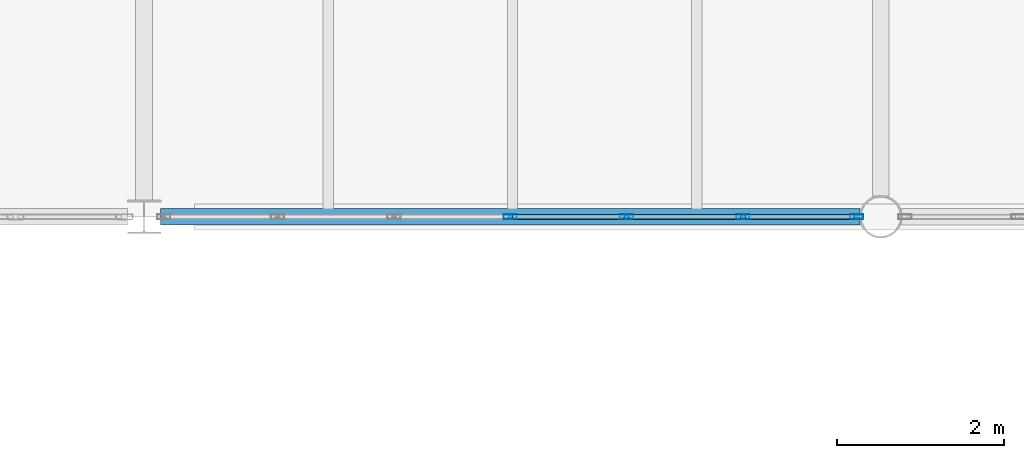
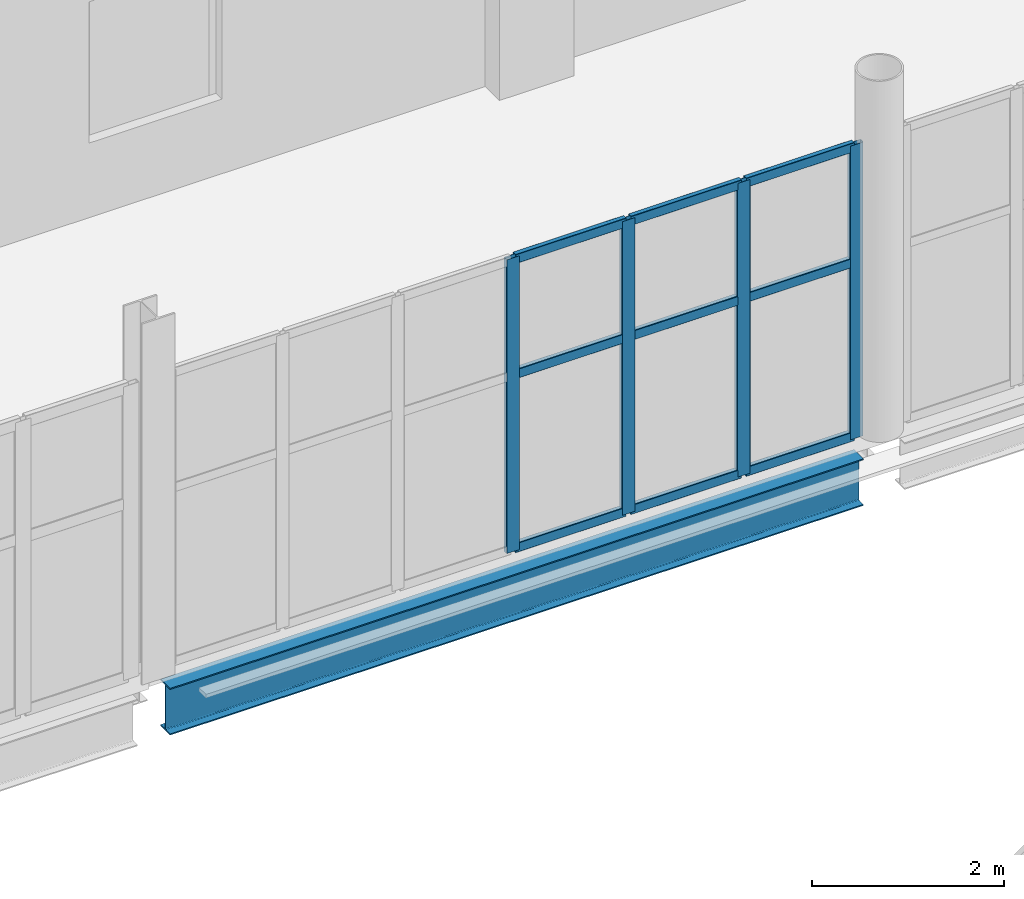
# One storey, part 81 of 172: 13 members, 1 beam, 1 element without a shape of its own.
"""IFC4 building model written with IfcOpenShell, lengths in metres."""

import ifcopenshell
import ifcopenshell.guid

model = None  # the IFC model being written
_history = None  # IfcOwnerHistory: only IFC2X3 demands one
_inside = {}  # id of a spatial element -> (the spatial element, [elements in it])
_under = {}  # id of a project, library or spatial element -> (it, [spatial elements below it])
_declared = {}  # id of a project -> (the project, [libraries it declares])
_typed = {}  # id of a type object -> (the type object, [elements of that type])
_made_of = {}  # id of a material, layer set ... -> (it, [elements and type objects made of it])


def new_model(schema):
    """Start an empty IFC model of exactly this schema.

    Asked for "IFC4X3", IfcOpenShell would pick the latest addendum, in which some entities
    have other attributes; the version numbers below select the first issue.
    IFC2X3 requires an IfcOwnerHistory on every rooted entity: one is made here for all.
    """
    global model, _history
    if schema == "IFC4X3":
        model = ifcopenshell.file(schema_version=(4, 3, 0, 0))
    else:
        model = ifcopenshell.file(schema=schema)
    _inside.clear()
    _under.clear()
    _declared.clear()
    _typed.clear()
    _made_of.clear()
    _history = None
    if model.schema == "IFC2X3":
        org = make("IfcOrganization", Name="unknown")
        user = make(
            "IfcPersonAndOrganization",
            ThePerson=make("IfcPerson", FamilyName="unknown"),
            TheOrganization=org,
        )
        app = make(
            "IfcApplication",
            ApplicationDeveloper=org,
            Version="unknown",
            ApplicationFullName="unknown",
            ApplicationIdentifier="unknown",
        )
        _history = make(
            "IfcOwnerHistory",
            OwningUser=user,
            OwningApplication=app,
            ChangeAction="ADDED",
            CreationDate=0,
        )
    return model


def make(cls, **values):
    """One entity of the class cls with the attributes given. An attribute that is None is left unset."""
    return model.create_entity(
        cls, **{name: value for name, value in values.items() if value is not None}
    )


def rooted(cls, **values):
    """An entity with a GlobalId (a new one), such as an element, a storey or a relation."""
    return make(cls, GlobalId=ifcopenshell.guid.new(), OwnerHistory=_history, **values)


def si_unit(unit_type, name, prefix=None):
    """IfcSIUnit, for example si_unit("LENGTHUNIT", "METRE", prefix="MILLI")."""
    return make("IfcSIUnit", UnitType=unit_type, Prefix=prefix, Name=name)


def assignment(units):
    """IfcUnitAssignment: the units of a project."""
    return None if units is None else make("IfcUnitAssignment", Units=units)


def point(xyz):
    """IfcCartesianPoint."""
    return None if xyz is None else make("IfcCartesianPoint", Coordinates=xyz)


def direction(xyz):
    """IfcDirection."""
    return None if xyz is None else make("IfcDirection", DirectionRatios=xyz)


def frame(location, z_axis=None, x_axis=None):
    """IfcAxis2Placement3D, a coordinate frame: its origin and axes. An axis left out is left unset."""
    return make(
        "IfcAxis2Placement3D",
        Location=point(location),
        Axis=direction(z_axis),
        RefDirection=direction(x_axis),
    )


def frame_2d(location, x_axis=None):
    """IfcAxis2Placement2D, a coordinate frame in the plane: its origin and x axis."""
    return make(
        "IfcAxis2Placement2D", Location=point(location), RefDirection=direction(x_axis)
    )


def origin():
    """The frame at (0, 0, 0) with its axes left unset."""
    return frame((0.0, 0.0, 0.0))


def origin_2d():
    """The frame at (0, 0) in the plane with its x axis left unset."""
    return frame_2d((0.0, 0.0))


def place(relative_to, where):
    """IfcLocalPlacement: puts the frame where relative to a parent placement (None: the world)."""
    return make(
        "IfcLocalPlacement", PlacementRelTo=relative_to, RelativePlacement=where
    )


def context(
    kind, dimensions, precision=None, world=None, true_north=None, identifier=None
):
    """IfcGeometricRepresentationContext, for example the 3D "Model" context."""
    return make(
        "IfcGeometricRepresentationContext",
        ContextIdentifier=identifier,
        ContextType=kind,
        CoordinateSpaceDimension=dimensions,
        Precision=precision,
        WorldCoordinateSystem=world,
        TrueNorth=true_north,
    )


def subcontext(parent, identifier, kind, view, scale=None):
    """IfcGeometricRepresentationSubContext, for example "Body" below "Model"."""
    return make(
        "IfcGeometricRepresentationSubContext",
        ContextIdentifier=identifier,
        ContextType=kind,
        ParentContext=parent,
        TargetScale=scale,
        TargetView=view,
    )


def project(units=None, contexts=None):
    """IfcProject with its units and contexts."""
    return rooted(
        "IfcProject",
        Name="project",
        RepresentationContexts=contexts,
        UnitsInContext=assignment(units),
    )


def spatial(cls, under=None, at=None, **own):
    """A site, building, storey or space (cls), placed at a placement, below another one or the project."""
    s = rooted(cls, ObjectPlacement=at, **own)
    if under is not None:
        _under.setdefault(under.id(), (under, []))[1].append(s)
    return s


def profile(cls, at=None, kind="AREA", **sizes):
    """A parametric profile (cls). Its sizes go by their IFC names, for example OverallWidth=200.0."""
    return make(cls, ProfileType=kind, Position=at, **sizes)


def hollow_rectangle(**sizes):
    """IfcRectangleHollowProfileDef."""
    return profile("IfcRectangleHollowProfileDef", **sizes)


def i_section(**sizes):
    """IfcIShapeProfileDef."""
    return profile("IfcIShapeProfileDef", **sizes)


def extrude(swept, where, along, depth):
    """IfcExtrudedAreaSolid: the profile swept, set in the frame where, extruded along a direction by depth."""
    return make(
        "IfcExtrudedAreaSolid",
        SweptArea=swept,
        Position=where,
        ExtrudedDirection=direction(along),
        Depth=depth,
    )


def shape(context_of_items, identifier, shape_type, items):
    """IfcShapeRepresentation: the items that make up one representation, for example the "Body"."""
    return make(
        "IfcShapeRepresentation",
        ContextOfItems=context_of_items,
        RepresentationIdentifier=identifier,
        RepresentationType=shape_type,
        Items=items,
    )


def material(Name=None, Category=None):
    """IfcMaterial."""
    return make("IfcMaterial", Name=Name, Category=Category)


def material_profile(
    of_material, cross_section, Name=None, Category=None, Priority=None
):
    """IfcMaterialProfile: a cross section and its material."""
    return make(
        "IfcMaterialProfile",
        Name=Name,
        Material=of_material,
        Profile=cross_section,
        Priority=Priority,
        Category=Category,
    )


def profile_set(profiles, Name=None, composite=None):
    """IfcMaterialProfileSet."""
    return make(
        "IfcMaterialProfileSet",
        Name=Name,
        MaterialProfiles=profiles,
        CompositeProfile=composite,
    )


def made_of(thing, what):
    """Note that an element or type object is made of a material, layer set ...; save() writes the relation."""
    if what is not None:
        _made_of.setdefault(what.id(), (what, []))[1].append(thing)
    return thing


def type_object(cls, material=None, **own):
    """A type object (cls), such as IfcWallType, which elements share."""
    return made_of(rooted(cls, **own), material)


def element(
    cls,
    number,
    at=None,
    inside=None,
    cuts=None,
    type_object=None,
    material=None,
    context=None,
    identifier="Body",
    shape_type=None,
    held_by="IfcProductDefinitionShape",
    body=None,
    shapes=None,
    **own,
):
    """One element of the class cls, such as IfcWall. Its Tag is "e" and its number.

    at: its placement. inside: the storey or other place that contains it. cuts: it is an
    opening in that element (IfcRelVoidsElement). A single representation is given by context,
    identifier, shape_type and body (its items); several are given by shapes. held_by: the class
    of the entity that holds the representations. save() writes the other relations.
    """
    e = rooted(cls, Tag="e%d" % number, ObjectPlacement=at, **own)
    if body is not None:
        shapes = [shape(context, identifier, shape_type, body)]
    if shapes is not None:
        e.Representation = make(held_by, Representations=shapes)
    if inside is not None:
        _inside.setdefault(inside.id(), (inside, []))[1].append(e)
    if cuts is not None:
        rooted(
            "IfcRelVoidsElement", RelatingBuildingElement=cuts, RelatedOpeningElement=e
        )
    if type_object is not None:
        _typed.setdefault(type_object.id(), (type_object, []))[1].append(e)
    return made_of(e, material)


def aggregate(whole, parts):
    """IfcRelAggregates: a whole, such as a stair, and the parts it consists of."""
    return rooted("IfcRelAggregates", RelatingObject=whole, RelatedObjects=parts)


def save(model, path):
    """Write the relations noted so far, then the file.

    IfcRelAggregates (storeys below a building ...), IfcRelContainedInSpatialStructure (elements
    in a storey), IfcRelDefinesByType, IfcRelAssociatesMaterial and IfcRelDeclares: one each for
    every whole, place, type object, material and project.
    """
    for whole, parts in _under.values():
        aggregate(whole, parts)
    for where, things in _inside.values():
        rooted(
            "IfcRelContainedInSpatialStructure",
            RelatedElements=things,
            RelatingStructure=where,
        )
    for kind, things in _typed.values():
        rooted("IfcRelDefinesByType", RelatedObjects=things, RelatingType=kind)
    for what, things in _made_of.values():
        rooted("IfcRelAssociatesMaterial", RelatedObjects=things, RelatingMaterial=what)
    for by, libraries in _declared.values():
        rooted("IfcRelDeclares", RelatingContext=by, RelatedDefinitions=libraries)
    model.write(path)


model = new_model("IFC4")

# Units and contexts
model_context = context("Model", 3, precision=1e-05, world=origin(), true_north=direction((0.0, 1.0)))
body_context = subcontext(model_context, "Body", "Model", "MODEL_VIEW")
ifc_project = project(units=[si_unit("LENGTHUNIT", "METRE"), si_unit("AREAUNIT", "SQUARE_METRE"), si_unit("VOLUMEUNIT", "CUBIC_METRE"), si_unit("PLANEANGLEUNIT", "RADIAN"), si_unit("MASSUNIT", "GRAM", prefix="KILO")], contexts=[model_context])

# Site, building, storey
site_placement = place(None, origin())
site = spatial("IfcSite", under=ifc_project, at=site_placement, CompositionType="ELEMENT")
building_placement = place(site_placement, origin())
building = spatial("IfcBuilding", under=site, at=building_placement, Name="Shengluoqiao Park Theatre", CompositionType="ELEMENT")
storey_placement = place(building_placement, frame((0.0, 0.0, 5.39990234375)))
storey = spatial("IfcBuildingStorey", under=building, at=storey_placement, Name="L01", CompositionType="ELEMENT", Elevation=5.39990234375)

# Curtain wall, members
ifc_material_1 = material(Name="Aluminium 6063-T6", Category="aluminium")
curtain_wall_type = type_object("IfcCurtainWallType", Name="ENV-CW-BRIDGE", PredefinedType="NOTDEFINED", material=ifc_material_1)
curtain_wall_placement = place(storey_placement, origin())
curtain_wall = element("IfcCurtainWall", 1, at=curtain_wall_placement, inside=storey, type_object=curtain_wall_type, Name="L01 Curtain Wall CWX-L01-0091", PredefinedType="NOTDEFINED")
ifc_material_profile_1 = material_profile(ifc_material_1, hollow_rectangle(XDim=0.06005859375, YDim=0.159912109375, WallThickness=0.00390625, InnerFilletRadius=0.00390625, OuterFilletRadius=0.008056640625, at=origin_2d()), Name="ALU MULLION 160x60x4")
ifc_profile_set_1 = profile_set([ifc_material_profile_1], Name="Aluminium 6063-T6")
member_type_1 = type_object("IfcMemberType", Name="ENV-MUL-160", PredefinedType="MULLION", material=ifc_profile_set_1)
member_1_placement = place(storey_placement, frame((90.77294921875, 68.39990234375, 0.0), z_axis=(0.0, 0.0, 1.0), x_axis=(0.0, 1.0, 0.0)))
member_1 = element("IfcMember", 2, at=member_1_placement, type_object=member_type_1, Name="CW-03 mullion 4", PredefinedType="MULLION", context=body_context, shape_type="SweptSolid", body=[
    extrude(hollow_rectangle(XDim=0.06005859375, YDim=0.159912109375, WallThickness=0.00390625, InnerFilletRadius=0.00390625, OuterFilletRadius=0.008056640625, at=origin_2d()), origin(), (0.0, 0.0, 1.0), 3.7421875),
])
member_2_placement = place(storey_placement, frame((92.16259765625, 68.39990234375, 0.0), z_axis=(0.0, 0.0, 1.0), x_axis=(0.0, 1.0, 0.0)))
member_2 = element("IfcMember", 3, at=member_2_placement, type_object=member_type_1, Name="CW-03 mullion 5", PredefinedType="MULLION", context=body_context, shape_type="SweptSolid", body=[
    extrude(hollow_rectangle(XDim=0.06005859375, YDim=0.159912109375, WallThickness=0.00390625, InnerFilletRadius=0.00390625, OuterFilletRadius=0.008056640625, at=origin_2d()), origin(), (0.0, 0.0, 1.0), 3.7421875),
])
member_3_placement = place(storey_placement, frame((93.55224609375, 68.39990234375, 0.0), z_axis=(0.0, 0.0, 1.0), x_axis=(0.0, 1.0, 0.0)))
member_3 = element("IfcMember", 4, at=member_3_placement, type_object=member_type_1, Name="CW-03 mullion 6", PredefinedType="MULLION", context=body_context, shape_type="SweptSolid", body=[
    extrude(hollow_rectangle(XDim=0.06005859375, YDim=0.159912109375, WallThickness=0.00390625, InnerFilletRadius=0.00390625, OuterFilletRadius=0.008056640625, at=origin_2d()), origin(), (0.0, 0.0, 1.0), 3.7421875),
])
member_4_placement = place(storey_placement, frame((94.912109375, 68.39990234375, 0.0), z_axis=(0.0, 0.0, 1.0), x_axis=(0.0, 1.0, 0.0)))
member_4 = element("IfcMember", 5, at=member_4_placement, type_object=member_type_1, Name="CW-03 mullion 7", PredefinedType="MULLION", context=body_context, shape_type="SweptSolid", body=[
    extrude(hollow_rectangle(XDim=0.06005859375, YDim=0.159912109375, WallThickness=0.00390625, InnerFilletRadius=0.00390625, OuterFilletRadius=0.008056640625, at=origin_2d()), origin(), (0.0, 0.0, 1.0), 3.7421875),
])
ifc_material_profile_2 = material_profile(ifc_material_1, hollow_rectangle(XDim=0.06005859375, YDim=0.1201171875, WallThickness=0.00390625, InnerFilletRadius=0.00390625, OuterFilletRadius=0.008056640625, at=origin_2d()), Name="ALU TRANSOM 120x60x4")
ifc_profile_set_2 = profile_set([ifc_material_profile_2], Name="Aluminium 6063-T6")
member_type_2 = type_object("IfcMemberType", Name="ENV-TRN-120", PredefinedType="USERDEFINED", material=ifc_profile_set_2)
member_5_placement = place(storey_placement, frame((90.802978515625, 68.39990234375, 0.030029296875), z_axis=(1.0, 0.0, 0.0), x_axis=(0.0, 1.0, 0.0)))
member_5 = element("IfcMember", 6, at=member_5_placement, type_object=member_type_2, Name="CW-03 transom 4.1", ObjectType="TRANSOM", PredefinedType="USERDEFINED", context=body_context, shape_type="SweptSolid", body=[
    extrude(hollow_rectangle(XDim=0.06005859375, YDim=0.1201171875, WallThickness=0.00390625, InnerFilletRadius=0.00390625, OuterFilletRadius=0.008056640625, at=origin_2d()), origin(), (0.0, 0.0, 1.0), 1.32958984375),
])
member_6_placement = place(storey_placement, frame((90.802978515625, 68.39990234375, 2.2451171875), z_axis=(1.0, 0.0, 0.0), x_axis=(0.0, 1.0, 0.0)))
member_6 = element("IfcMember", 7, at=member_6_placement, type_object=member_type_2, Name="CW-03 transom 4.2", ObjectType="TRANSOM", PredefinedType="USERDEFINED", context=body_context, shape_type="SweptSolid", body=[
    extrude(hollow_rectangle(XDim=0.06005859375, YDim=0.1201171875, WallThickness=0.00390625, InnerFilletRadius=0.00390625, OuterFilletRadius=0.008056640625, at=origin_2d()), origin(), (0.0, 0.0, 1.0), 1.32958984375),
])
member_7_placement = place(storey_placement, frame((90.802978515625, 68.39990234375, 3.712158203125), z_axis=(1.0, 0.0, 0.0), x_axis=(0.0, 1.0, 0.0)))
member_7 = element("IfcMember", 8, at=member_7_placement, type_object=member_type_2, Name="CW-03 transom 4.3", ObjectType="TRANSOM", PredefinedType="USERDEFINED", context=body_context, shape_type="SweptSolid", body=[
    extrude(hollow_rectangle(XDim=0.06005859375, YDim=0.1201171875, WallThickness=0.00390625, InnerFilletRadius=0.00390625, OuterFilletRadius=0.008056640625, at=origin_2d()), origin(), (0.0, 0.0, 1.0), 1.32958984375),
])
member_8_placement = place(storey_placement, frame((92.192626953125, 68.39990234375, 0.030029296875), z_axis=(1.0, 0.0, 0.0), x_axis=(0.0, 1.0, 0.0)))
member_8 = element("IfcMember", 9, at=member_8_placement, type_object=member_type_2, Name="CW-03 transom 5.1", ObjectType="TRANSOM", PredefinedType="USERDEFINED", context=body_context, shape_type="SweptSolid", body=[
    extrude(hollow_rectangle(XDim=0.06005859375, YDim=0.1201171875, WallThickness=0.00390625, InnerFilletRadius=0.00390625, OuterFilletRadius=0.008056640625, at=origin_2d()), origin(), (0.0, 0.0, 1.0), 1.32958984375),
])
member_9_placement = place(storey_placement, frame((92.192626953125, 68.39990234375, 2.2451171875), z_axis=(1.0, 0.0, 0.0), x_axis=(0.0, 1.0, 0.0)))
member_9 = element("IfcMember", 10, at=member_9_placement, type_object=member_type_2, Name="CW-03 transom 5.2", ObjectType="TRANSOM", PredefinedType="USERDEFINED", context=body_context, shape_type="SweptSolid", body=[
    extrude(hollow_rectangle(XDim=0.06005859375, YDim=0.1201171875, WallThickness=0.00390625, InnerFilletRadius=0.00390625, OuterFilletRadius=0.008056640625, at=origin_2d()), origin(), (0.0, 0.0, 1.0), 1.32958984375),
])
member_10_placement = place(storey_placement, frame((92.192626953125, 68.39990234375, 3.712158203125), z_axis=(1.0, 0.0, 0.0), x_axis=(0.0, 1.0, 0.0)))
member_10 = element("IfcMember", 11, at=member_10_placement, type_object=member_type_2, Name="CW-03 transom 5.3", ObjectType="TRANSOM", PredefinedType="USERDEFINED", context=body_context, shape_type="SweptSolid", body=[
    extrude(hollow_rectangle(XDim=0.06005859375, YDim=0.1201171875, WallThickness=0.00390625, InnerFilletRadius=0.00390625, OuterFilletRadius=0.008056640625, at=origin_2d()), origin(), (0.0, 0.0, 1.0), 1.32958984375),
])
member_11_placement = place(storey_placement, frame((93.582275390625, 68.39990234375, 0.030029296875), z_axis=(1.0, 0.0, 0.0), x_axis=(0.0, 1.0, 0.0)))
member_11 = element("IfcMember", 12, at=member_11_placement, type_object=member_type_2, Name="CW-03 transom 6.1", ObjectType="TRANSOM", PredefinedType="USERDEFINED", context=body_context, shape_type="SweptSolid", body=[
    extrude(hollow_rectangle(XDim=0.06005859375, YDim=0.1201171875, WallThickness=0.00390625, InnerFilletRadius=0.00390625, OuterFilletRadius=0.008056640625, at=origin_2d()), origin(), (0.0, 0.0, 1.0), 1.2998046875),
])
member_12_placement = place(storey_placement, frame((93.582275390625, 68.39990234375, 2.2451171875), z_axis=(1.0, 0.0, 0.0), x_axis=(0.0, 1.0, 0.0)))
member_12 = element("IfcMember", 13, at=member_12_placement, type_object=member_type_2, Name="CW-03 transom 6.2", ObjectType="TRANSOM", PredefinedType="USERDEFINED", context=body_context, shape_type="SweptSolid", body=[
    extrude(hollow_rectangle(XDim=0.06005859375, YDim=0.1201171875, WallThickness=0.00390625, InnerFilletRadius=0.00390625, OuterFilletRadius=0.008056640625, at=origin_2d()), origin(), (0.0, 0.0, 1.0), 1.2998046875),
])
member_13_placement = place(storey_placement, frame((93.582275390625, 68.39990234375, 3.712158203125), z_axis=(1.0, 0.0, 0.0), x_axis=(0.0, 1.0, 0.0)))
member_13 = element("IfcMember", 14, at=member_13_placement, type_object=member_type_2, Name="CW-03 transom 6.3", ObjectType="TRANSOM", PredefinedType="USERDEFINED", context=body_context, shape_type="SweptSolid", body=[
    extrude(hollow_rectangle(XDim=0.06005859375, YDim=0.1201171875, WallThickness=0.00390625, InnerFilletRadius=0.00390625, OuterFilletRadius=0.008056640625, at=origin_2d()), origin(), (0.0, 0.0, 1.0), 1.2998046875),
])
aggregate(curtain_wall, [member_1, member_2, member_3, member_4, member_5, member_6, member_7, member_8, member_9, member_10, member_11, member_12, member_13])

# Beam
ifc_material_2 = material(Name="Steel Q355", Category="steel")
ifc_material_profile_3 = material_profile(ifc_material_2, i_section(OverallWidth=0.198974609375, OverallDepth=0.595947265625, WebThickness=0.010009765625, FlangeThickness=0.014892578125, FilletRadius=0.02001953125, at=origin_2d()), Name="HN 596x199x10x15")
ifc_profile_set_3 = profile_set([ifc_material_profile_3], Name="Steel Q355")
beam_type = type_object("IfcBeamType", Name="STR-BM-SP-HN596", PredefinedType="SPANDREL", material=ifc_profile_set_3)
beam_placement = place(storey_placement, frame((86.596435546875, 68.39990234375, -0.537841796875), z_axis=(1.0, 0.0, 0.0), x_axis=(0.0, 1.0, 0.0)))
element("IfcBeam", 15, at=beam_placement, inside=storey, type_object=beam_type, Name="L01 Primary Girder 00516", PredefinedType="SPANDREL", context=body_context, shape_type="SweptSolid", body=[
    extrude(i_section(OverallWidth=0.198974609375, OverallDepth=0.595947265625, WebThickness=0.010009765625, FlangeThickness=0.014892578125, FilletRadius=0.02001953125, at=origin_2d()), origin(), (0.0, 0.0, 1.0), 8.35546875),
])

save(model, "model.ifc")
